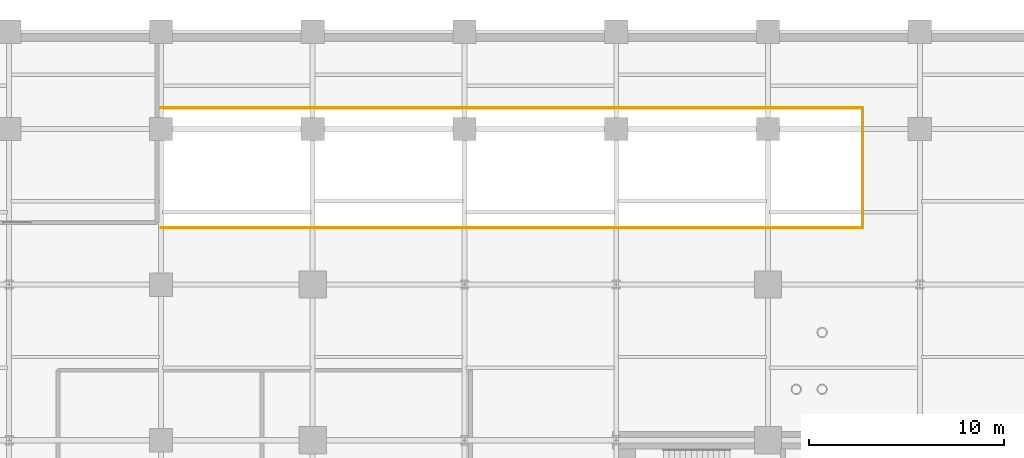
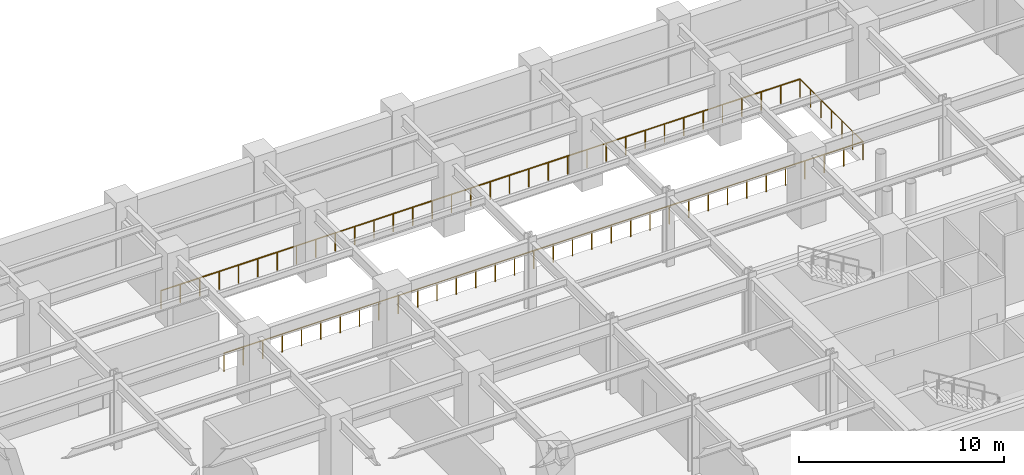
# One storey, part 10 of 10: 3 railings.
"""IFC4 building model written with IfcOpenShell, lengths in metres."""

import ifcopenshell
import ifcopenshell.guid

model = None  # the IFC model being written
_history = None  # IfcOwnerHistory: only IFC2X3 demands one
_inside = {}  # id of a spatial element -> (the spatial element, [elements in it])
_under = {}  # id of a project, library or spatial element -> (it, [spatial elements below it])
_declared = {}  # id of a project -> (the project, [libraries it declares])
_typed = {}  # id of a type object -> (the type object, [elements of that type])
_made_of = {}  # id of a material, layer set ... -> (it, [elements and type objects made of it])


def new_model(schema):
    """Start an empty IFC model of exactly this schema.

    Asked for "IFC4X3", IfcOpenShell would pick the latest addendum, in which some entities
    have other attributes; the version numbers below select the first issue.
    IFC2X3 requires an IfcOwnerHistory on every rooted entity: one is made here for all.
    """
    global model, _history
    if schema == "IFC4X3":
        model = ifcopenshell.file(schema_version=(4, 3, 0, 0))
    else:
        model = ifcopenshell.file(schema=schema)
    _inside.clear()
    _under.clear()
    _declared.clear()
    _typed.clear()
    _made_of.clear()
    _history = None
    if model.schema == "IFC2X3":
        org = make("IfcOrganization", Name="unknown")
        user = make(
            "IfcPersonAndOrganization",
            ThePerson=make("IfcPerson", FamilyName="unknown"),
            TheOrganization=org,
        )
        app = make(
            "IfcApplication",
            ApplicationDeveloper=org,
            Version="unknown",
            ApplicationFullName="unknown",
            ApplicationIdentifier="unknown",
        )
        _history = make(
            "IfcOwnerHistory",
            OwningUser=user,
            OwningApplication=app,
            ChangeAction="ADDED",
            CreationDate=0,
        )
    return model


def make(cls, **values):
    """One entity of the class cls with the attributes given. An attribute that is None is left unset."""
    return model.create_entity(
        cls, **{name: value for name, value in values.items() if value is not None}
    )


def rooted(cls, **values):
    """An entity with a GlobalId (a new one), such as an element, a storey or a relation."""
    return make(cls, GlobalId=ifcopenshell.guid.new(), OwnerHistory=_history, **values)


def si_unit(unit_type, name, prefix=None):
    """IfcSIUnit, for example si_unit("LENGTHUNIT", "METRE", prefix="MILLI")."""
    return make("IfcSIUnit", UnitType=unit_type, Prefix=prefix, Name=name)


def assignment(units):
    """IfcUnitAssignment: the units of a project."""
    return None if units is None else make("IfcUnitAssignment", Units=units)


def point(xyz):
    """IfcCartesianPoint."""
    return None if xyz is None else make("IfcCartesianPoint", Coordinates=xyz)


def direction(xyz):
    """IfcDirection."""
    return None if xyz is None else make("IfcDirection", DirectionRatios=xyz)


def frame(location, z_axis=None, x_axis=None):
    """IfcAxis2Placement3D, a coordinate frame: its origin and axes. An axis left out is left unset."""
    return make(
        "IfcAxis2Placement3D",
        Location=point(location),
        Axis=direction(z_axis),
        RefDirection=direction(x_axis),
    )


def frame_2d(location, x_axis=None):
    """IfcAxis2Placement2D, a coordinate frame in the plane: its origin and x axis."""
    return make(
        "IfcAxis2Placement2D", Location=point(location), RefDirection=direction(x_axis)
    )


def origin():
    """The frame at (0, 0, 0) with its axes left unset."""
    return frame((0.0, 0.0, 0.0))


def origin_2d():
    """The frame at (0, 0) in the plane with its x axis left unset."""
    return frame_2d((0.0, 0.0))


def place(relative_to, where):
    """IfcLocalPlacement: puts the frame where relative to a parent placement (None: the world)."""
    return make(
        "IfcLocalPlacement", PlacementRelTo=relative_to, RelativePlacement=where
    )


def context(
    kind, dimensions, precision=None, world=None, true_north=None, identifier=None
):
    """IfcGeometricRepresentationContext, for example the 3D "Model" context."""
    return make(
        "IfcGeometricRepresentationContext",
        ContextIdentifier=identifier,
        ContextType=kind,
        CoordinateSpaceDimension=dimensions,
        Precision=precision,
        WorldCoordinateSystem=world,
        TrueNorth=true_north,
    )


def subcontext(parent, identifier, kind, view, scale=None):
    """IfcGeometricRepresentationSubContext, for example "Body" below "Model"."""
    return make(
        "IfcGeometricRepresentationSubContext",
        ContextIdentifier=identifier,
        ContextType=kind,
        ParentContext=parent,
        TargetScale=scale,
        TargetView=view,
    )


def project(units=None, contexts=None):
    """IfcProject with its units and contexts."""
    return rooted(
        "IfcProject",
        Name="project",
        RepresentationContexts=contexts,
        UnitsInContext=assignment(units),
    )


def spatial(cls, under=None, at=None, **own):
    """A site, building, storey or space (cls), placed at a placement, below another one or the project."""
    s = rooted(cls, ObjectPlacement=at, **own)
    if under is not None:
        _under.setdefault(under.id(), (under, []))[1].append(s)
    return s


def profile(cls, at=None, kind="AREA", **sizes):
    """A parametric profile (cls). Its sizes go by their IFC names, for example OverallWidth=200.0."""
    return make(cls, ProfileType=kind, Position=at, **sizes)


def circle(**sizes):
    """IfcCircleProfileDef."""
    return profile("IfcCircleProfileDef", **sizes)


def extrude(swept, where, along, depth):
    """IfcExtrudedAreaSolid: the profile swept, set in the frame where, extruded along a direction by depth."""
    return make(
        "IfcExtrudedAreaSolid",
        SweptArea=swept,
        Position=where,
        ExtrudedDirection=direction(along),
        Depth=depth,
    )


def shape(context_of_items, identifier, shape_type, items):
    """IfcShapeRepresentation: the items that make up one representation, for example the "Body"."""
    return make(
        "IfcShapeRepresentation",
        ContextOfItems=context_of_items,
        RepresentationIdentifier=identifier,
        RepresentationType=shape_type,
        Items=items,
    )


def material(Name=None, Category=None):
    """IfcMaterial."""
    return make("IfcMaterial", Name=Name, Category=Category)


def made_of(thing, what):
    """Note that an element or type object is made of a material, layer set ...; save() writes the relation."""
    if what is not None:
        _made_of.setdefault(what.id(), (what, []))[1].append(thing)
    return thing


def type_object(cls, material=None, **own):
    """A type object (cls), such as IfcWallType, which elements share."""
    return made_of(rooted(cls, **own), material)


def element(
    cls,
    number,
    at=None,
    inside=None,
    cuts=None,
    type_object=None,
    material=None,
    context=None,
    identifier="Body",
    shape_type=None,
    held_by="IfcProductDefinitionShape",
    body=None,
    shapes=None,
    **own,
):
    """One element of the class cls, such as IfcWall. Its Tag is "e" and its number.

    at: its placement. inside: the storey or other place that contains it. cuts: it is an
    opening in that element (IfcRelVoidsElement). A single representation is given by context,
    identifier, shape_type and body (its items); several are given by shapes. held_by: the class
    of the entity that holds the representations. save() writes the other relations.
    """
    e = rooted(cls, Tag="e%d" % number, ObjectPlacement=at, **own)
    if body is not None:
        shapes = [shape(context, identifier, shape_type, body)]
    if shapes is not None:
        e.Representation = make(held_by, Representations=shapes)
    if inside is not None:
        _inside.setdefault(inside.id(), (inside, []))[1].append(e)
    if cuts is not None:
        rooted(
            "IfcRelVoidsElement", RelatingBuildingElement=cuts, RelatedOpeningElement=e
        )
    if type_object is not None:
        _typed.setdefault(type_object.id(), (type_object, []))[1].append(e)
    return made_of(e, material)


def aggregate(whole, parts):
    """IfcRelAggregates: a whole, such as a stair, and the parts it consists of."""
    return rooted("IfcRelAggregates", RelatingObject=whole, RelatedObjects=parts)


def save(model, path):
    """Write the relations noted so far, then the file.

    IfcRelAggregates (storeys below a building ...), IfcRelContainedInSpatialStructure (elements
    in a storey), IfcRelDefinesByType, IfcRelAssociatesMaterial and IfcRelDeclares: one each for
    every whole, place, type object, material and project.
    """
    for whole, parts in _under.values():
        aggregate(whole, parts)
    for where, things in _inside.values():
        rooted(
            "IfcRelContainedInSpatialStructure",
            RelatedElements=things,
            RelatingStructure=where,
        )
    for kind, things in _typed.values():
        rooted("IfcRelDefinesByType", RelatedObjects=things, RelatingType=kind)
    for what, things in _made_of.values():
        rooted("IfcRelAssociatesMaterial", RelatedObjects=things, RelatingMaterial=what)
    for by, libraries in _declared.values():
        rooted("IfcRelDeclares", RelatingContext=by, RelatedDefinitions=libraries)
    model.write(path)


model = new_model("IFC4")

# Units and contexts
model_context = context("Model", 3, precision=1e-05, world=origin(), true_north=direction((0.0, 1.0)))
body_context = subcontext(model_context, "Body", "Model", "MODEL_VIEW")
ifc_project = project(units=[si_unit("LENGTHUNIT", "METRE"), si_unit("AREAUNIT", "SQUARE_METRE"), si_unit("VOLUMEUNIT", "CUBIC_METRE"), si_unit("PLANEANGLEUNIT", "RADIAN"), si_unit("MASSUNIT", "GRAM", prefix="KILO")], contexts=[model_context])

# Site, building, storey
site_placement = place(None, origin())
site = spatial("IfcSite", under=ifc_project, at=site_placement, CompositionType="ELEMENT")
building_placement = place(site_placement, origin())
building = spatial("IfcBuilding", under=site, at=building_placement, Name="Veymaron Broadcast Tower", CompositionType="ELEMENT")
storey_placement = place(building_placement, frame((0.0, 0.0, -4.5)))
storey = spatial("IfcBuildingStorey", under=building, at=storey_placement, Name="B1", CompositionType="ELEMENT", Elevation=-4.5)

# Railings
ifc_material = material(Name="Painted galvanized steel balustrade", Category="steel")
railing_type = type_object("IfcRailingType", Name="RAIL-WELL-GRD", PredefinedType="GUARDRAIL", material=ifc_material)
railing_1_placement = place(storey_placement, frame((15.60009765625, 42.919921875, 0.0)))
element("IfcRailing", 1, at=railing_1_placement, inside=storey, type_object=railing_type, Name="B1 vehicle ramp aperture guardrail 1", PredefinedType="GUARDRAIL", context=body_context, shape_type="SweptSolid", body=[
    extrude(circle(Radius=0.02392578125, at=origin_2d()), frame((0.0, 0.0, 1.076171875), z_axis=(1.0, 0.0, 0.0), x_axis=(0.0, 1.0, 0.0)), (0.0, 0.0, 1.0), 36.079833984375),
    extrude(circle(Radius=0.02099609375, at=origin_2d()), origin(), (0.0, 0.0, 1.0), 1.052001953125),
    extrude(circle(Radius=0.02099609375, at=origin_2d()), frame((1.09326171875, 0.0, 0.0)), (0.0, 0.0, 1.0), 1.052001953125),
    extrude(circle(Radius=0.02099609375, at=origin_2d()), frame((2.186767578125, 0.0, 0.0)), (0.0, 0.0, 1.0), 1.052001953125),
    extrude(circle(Radius=0.02099609375, at=origin_2d()), frame((3.280029296875, 0.0, 0.0)), (0.0, 0.0, 1.0), 1.052001953125),
    extrude(circle(Radius=0.02099609375, at=origin_2d()), frame((4.373291015625, 0.0, 0.0)), (0.0, 0.0, 1.0), 1.052001953125),
    extrude(circle(Radius=0.02099609375, at=origin_2d()), frame((5.466552734375, 0.0, 0.0)), (0.0, 0.0, 1.0), 1.052001953125),
    extrude(circle(Radius=0.02099609375, at=origin_2d()), frame((6.56005859375, 0.0, 0.0)), (0.0, 0.0, 1.0), 1.052001953125),
    extrude(circle(Radius=0.02099609375, at=origin_2d()), frame((7.6533203125, 0.0, 0.0)), (0.0, 0.0, 1.0), 1.052001953125),
    extrude(circle(Radius=0.02099609375, at=origin_2d()), frame((8.74658203125, 0.0, 0.0)), (0.0, 0.0, 1.0), 1.052001953125),
    extrude(circle(Radius=0.02099609375, at=origin_2d()), frame((9.83984375, 0.0, 0.0)), (0.0, 0.0, 1.0), 1.052001953125),
    extrude(circle(Radius=0.02099609375, at=origin_2d()), frame((10.933349609375, 0.0, 0.0)), (0.0, 0.0, 1.0), 1.052001953125),
    extrude(circle(Radius=0.02099609375, at=origin_2d()), frame((12.026611328125, 0.0, 0.0)), (0.0, 0.0, 1.0), 1.052001953125),
    extrude(circle(Radius=0.02099609375, at=origin_2d()), frame((13.119873046875, 0.0, 0.0)), (0.0, 0.0, 1.0), 1.052001953125),
    extrude(circle(Radius=0.02099609375, at=origin_2d()), frame((14.21337890625, 0.0, 0.0)), (0.0, 0.0, 1.0), 1.052001953125),
    extrude(circle(Radius=0.02099609375, at=origin_2d()), frame((15.306640625, 0.0, 0.0)), (0.0, 0.0, 1.0), 1.052001953125),
    extrude(circle(Radius=0.02099609375, at=origin_2d()), frame((16.39990234375, 0.0, 0.0)), (0.0, 0.0, 1.0), 1.052001953125),
    extrude(circle(Radius=0.02099609375, at=origin_2d()), frame((17.4931640625, 0.0, 0.0)), (0.0, 0.0, 1.0), 1.052001953125),
    extrude(circle(Radius=0.02099609375, at=origin_2d()), frame((18.586669921875, 0.0, 0.0)), (0.0, 0.0, 1.0), 1.052001953125),
    extrude(circle(Radius=0.02099609375, at=origin_2d()), frame((19.679931640625, 0.0, 0.0)), (0.0, 0.0, 1.0), 1.052001953125),
    extrude(circle(Radius=0.02099609375, at=origin_2d()), frame((20.773193359375, 0.0, 0.0)), (0.0, 0.0, 1.0), 1.052001953125),
    extrude(circle(Radius=0.02099609375, at=origin_2d()), frame((21.866455078125, 0.0, 0.0)), (0.0, 0.0, 1.0), 1.052001953125),
    extrude(circle(Radius=0.02099609375, at=origin_2d()), frame((22.9599609375, 0.0, 0.0)), (0.0, 0.0, 1.0), 1.052001953125),
    extrude(circle(Radius=0.02099609375, at=origin_2d()), frame((24.05322265625, 0.0, 0.0)), (0.0, 0.0, 1.0), 1.052001953125),
    extrude(circle(Radius=0.02099609375, at=origin_2d()), frame((25.146484375, 0.0, 0.0)), (0.0, 0.0, 1.0), 1.052001953125),
    extrude(circle(Radius=0.02099609375, at=origin_2d()), frame((26.239990234375, 0.0, 0.0)), (0.0, 0.0, 1.0), 1.052001953125),
    extrude(circle(Radius=0.02099609375, at=origin_2d()), frame((27.333251953125, 0.0, 0.0)), (0.0, 0.0, 1.0), 1.052001953125),
    extrude(circle(Radius=0.02099609375, at=origin_2d()), frame((28.426513671875, 0.0, 0.0)), (0.0, 0.0, 1.0), 1.052001953125),
    extrude(circle(Radius=0.02099609375, at=origin_2d()), frame((29.519775390625, 0.0, 0.0)), (0.0, 0.0, 1.0), 1.052001953125),
    extrude(circle(Radius=0.02099609375, at=origin_2d()), frame((30.61328125, 0.0, 0.0)), (0.0, 0.0, 1.0), 1.052001953125),
    extrude(circle(Radius=0.02099609375, at=origin_2d()), frame((31.70654296875, 0.0, 0.0)), (0.0, 0.0, 1.0), 1.052001953125),
    extrude(circle(Radius=0.02099609375, at=origin_2d()), frame((32.7998046875, 0.0, 0.0)), (0.0, 0.0, 1.0), 1.052001953125),
    extrude(circle(Radius=0.02099609375, at=origin_2d()), frame((33.89306640625, 0.0, 0.0)), (0.0, 0.0, 1.0), 1.052001953125),
    extrude(circle(Radius=0.02099609375, at=origin_2d()), frame((34.986572265625, 0.0, 0.0)), (0.0, 0.0, 1.0), 1.052001953125),
    extrude(circle(Radius=0.02099609375, at=origin_2d()), frame((36.079833984375, 0.0, 0.0)), (0.0, 0.0, 1.0), 1.052001953125),
])
railing_2_placement = place(storey_placement, frame((51.679931640625, 42.919921875, 0.0)))
element("IfcRailing", 2, at=railing_2_placement, inside=storey, type_object=railing_type, Name="B1 vehicle ramp aperture guardrail 2", PredefinedType="GUARDRAIL", context=body_context, shape_type="SweptSolid", body=[
    extrude(circle(Radius=0.02392578125, at=origin_2d()), frame((0.0, 0.0, 1.076171875), z_axis=(0.0, 1.0, 0.0), x_axis=(-1.0, 0.0, 0.0)), (0.0, 0.0, 1.0), 6.16015625),
    extrude(circle(Radius=0.02099609375, at=origin_2d()), origin(), (0.0, 0.0, 1.0), 1.052001953125),
    extrude(circle(Radius=0.02099609375, at=origin_2d()), frame((0.0, 1.026611328125, 0.0)), (0.0, 0.0, 1.0), 1.052001953125),
    extrude(circle(Radius=0.02099609375, at=origin_2d()), frame((0.0, 2.053466796875, 0.0)), (0.0, 0.0, 1.0), 1.052001953125),
    extrude(circle(Radius=0.02099609375, at=origin_2d()), frame((0.0, 3.080078125, 0.0)), (0.0, 0.0, 1.0), 1.052001953125),
    extrude(circle(Radius=0.02099609375, at=origin_2d()), frame((0.0, 4.106689453125, 0.0)), (0.0, 0.0, 1.0), 1.052001953125),
    extrude(circle(Radius=0.02099609375, at=origin_2d()), frame((0.0, 5.133544921875, 0.0)), (0.0, 0.0, 1.0), 1.052001953125),
    extrude(circle(Radius=0.02099609375, at=origin_2d()), frame((0.0, 6.16015625, 0.0)), (0.0, 0.0, 1.0), 1.052001953125),
])
railing_3_placement = place(storey_placement, frame((51.679931640625, 49.080078125, 0.0)))
element("IfcRailing", 3, at=railing_3_placement, inside=storey, type_object=railing_type, Name="B1 vehicle ramp aperture guardrail 3", PredefinedType="GUARDRAIL", context=body_context, shape_type="SweptSolid", body=[
    extrude(circle(Radius=0.02392578125, at=origin_2d()), frame((0.0, 0.0, 1.076171875), z_axis=(-1.0, 0.0, 0.0), x_axis=(0.0, -1.0, 0.0)), (0.0, 0.0, 1.0), 36.079833984375),
    extrude(circle(Radius=0.02099609375, at=origin_2d()), origin(), (0.0, 0.0, 1.0), 1.052001953125),
    extrude(circle(Radius=0.02099609375, at=origin_2d()), frame((-1.09326171875, 0.0, 0.0)), (0.0, 0.0, 1.0), 1.052001953125),
    extrude(circle(Radius=0.02099609375, at=origin_2d()), frame((-2.186767578125, 0.0, 0.0)), (0.0, 0.0, 1.0), 1.052001953125),
    extrude(circle(Radius=0.02099609375, at=origin_2d()), frame((-3.280029296875, 0.0, 0.0)), (0.0, 0.0, 1.0), 1.052001953125),
    extrude(circle(Radius=0.02099609375, at=origin_2d()), frame((-4.373291015625, 0.0, 0.0)), (0.0, 0.0, 1.0), 1.052001953125),
    extrude(circle(Radius=0.02099609375, at=origin_2d()), frame((-5.466552734375, 0.0, 0.0)), (0.0, 0.0, 1.0), 1.052001953125),
    extrude(circle(Radius=0.02099609375, at=origin_2d()), frame((-6.56005859375, 0.0, 0.0)), (0.0, 0.0, 1.0), 1.052001953125),
    extrude(circle(Radius=0.02099609375, at=origin_2d()), frame((-7.6533203125, 0.0, 0.0)), (0.0, 0.0, 1.0), 1.052001953125),
    extrude(circle(Radius=0.02099609375, at=origin_2d()), frame((-8.74658203125, 0.0, 0.0)), (0.0, 0.0, 1.0), 1.052001953125),
    extrude(circle(Radius=0.02099609375, at=origin_2d()), frame((-9.83984375, 0.0, 0.0)), (0.0, 0.0, 1.0), 1.052001953125),
    extrude(circle(Radius=0.02099609375, at=origin_2d()), frame((-10.933349609375, 0.0, 0.0)), (0.0, 0.0, 1.0), 1.052001953125),
    extrude(circle(Radius=0.02099609375, at=origin_2d()), frame((-12.026611328125, 0.0, 0.0)), (0.0, 0.0, 1.0), 1.052001953125),
    extrude(circle(Radius=0.02099609375, at=origin_2d()), frame((-13.119873046875, 0.0, 0.0)), (0.0, 0.0, 1.0), 1.052001953125),
    extrude(circle(Radius=0.02099609375, at=origin_2d()), frame((-14.21337890625, 0.0, 0.0)), (0.0, 0.0, 1.0), 1.052001953125),
    extrude(circle(Radius=0.02099609375, at=origin_2d()), frame((-15.306640625, 0.0, 0.0)), (0.0, 0.0, 1.0), 1.052001953125),
    extrude(circle(Radius=0.02099609375, at=origin_2d()), frame((-16.39990234375, 0.0, 0.0)), (0.0, 0.0, 1.0), 1.052001953125),
    extrude(circle(Radius=0.02099609375, at=origin_2d()), frame((-17.4931640625, 0.0, 0.0)), (0.0, 0.0, 1.0), 1.052001953125),
    extrude(circle(Radius=0.02099609375, at=origin_2d()), frame((-18.586669921875, 0.0, 0.0)), (0.0, 0.0, 1.0), 1.052001953125),
    extrude(circle(Radius=0.02099609375, at=origin_2d()), frame((-19.679931640625, 0.0, 0.0)), (0.0, 0.0, 1.0), 1.052001953125),
    extrude(circle(Radius=0.02099609375, at=origin_2d()), frame((-20.773193359375, 0.0, 0.0)), (0.0, 0.0, 1.0), 1.052001953125),
    extrude(circle(Radius=0.02099609375, at=origin_2d()), frame((-21.866455078125, 0.0, 0.0)), (0.0, 0.0, 1.0), 1.052001953125),
    extrude(circle(Radius=0.02099609375, at=origin_2d()), frame((-22.9599609375, 0.0, 0.0)), (0.0, 0.0, 1.0), 1.052001953125),
    extrude(circle(Radius=0.02099609375, at=origin_2d()), frame((-24.05322265625, 0.0, 0.0)), (0.0, 0.0, 1.0), 1.052001953125),
    extrude(circle(Radius=0.02099609375, at=origin_2d()), frame((-25.146484375, 0.0, 0.0)), (0.0, 0.0, 1.0), 1.052001953125),
    extrude(circle(Radius=0.02099609375, at=origin_2d()), frame((-26.239990234375, 0.0, 0.0)), (0.0, 0.0, 1.0), 1.052001953125),
    extrude(circle(Radius=0.02099609375, at=origin_2d()), frame((-27.333251953125, 0.0, 0.0)), (0.0, 0.0, 1.0), 1.052001953125),
    extrude(circle(Radius=0.02099609375, at=origin_2d()), frame((-28.426513671875, 0.0, 0.0)), (0.0, 0.0, 1.0), 1.052001953125),
    extrude(circle(Radius=0.02099609375, at=origin_2d()), frame((-29.519775390625, 0.0, 0.0)), (0.0, 0.0, 1.0), 1.052001953125),
    extrude(circle(Radius=0.02099609375, at=origin_2d()), frame((-30.61328125, 0.0, 0.0)), (0.0, 0.0, 1.0), 1.052001953125),
    extrude(circle(Radius=0.02099609375, at=origin_2d()), frame((-31.70654296875, 0.0, 0.0)), (0.0, 0.0, 1.0), 1.052001953125),
    extrude(circle(Radius=0.02099609375, at=origin_2d()), frame((-32.7998046875, 0.0, 0.0)), (0.0, 0.0, 1.0), 1.052001953125),
    extrude(circle(Radius=0.02099609375, at=origin_2d()), frame((-33.89306640625, 0.0, 0.0)), (0.0, 0.0, 1.0), 1.052001953125),
    extrude(circle(Radius=0.02099609375, at=origin_2d()), frame((-34.986572265625, 0.0, 0.0)), (0.0, 0.0, 1.0), 1.052001953125),
    extrude(circle(Radius=0.02099609375, at=origin_2d()), frame((-36.079833984375, 0.0, 0.0)), (0.0, 0.0, 1.0), 1.052001953125),
])

save(model, "model.ifc")
